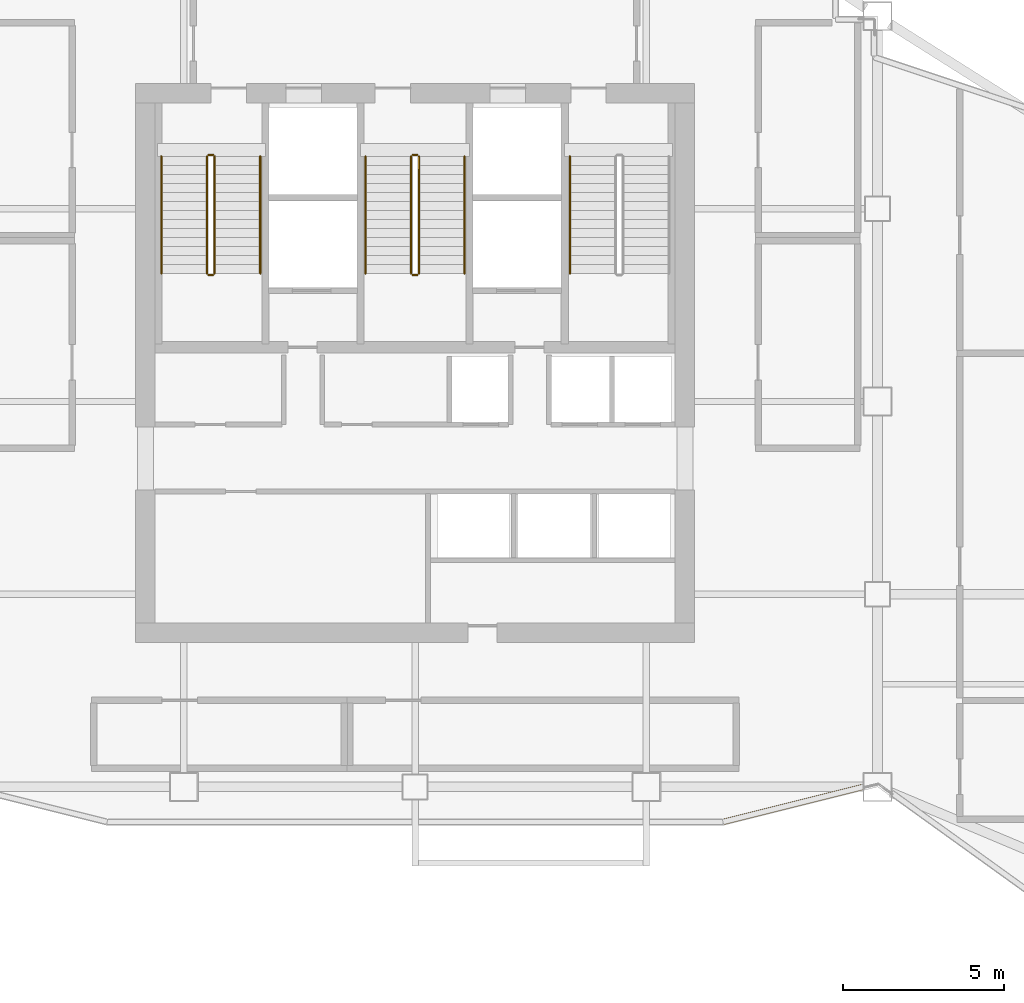
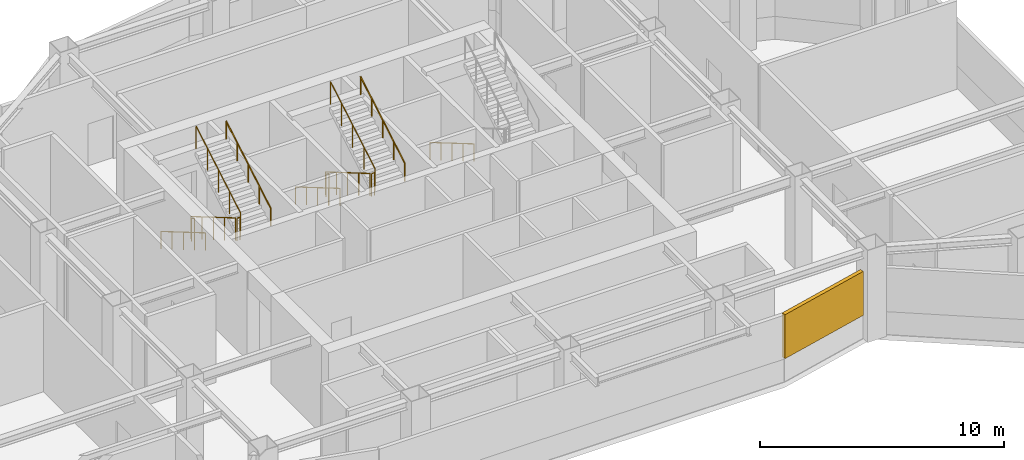
# One storey, part 7 of 9: 13 railings, 1 shading device.
"""IFC4 building model written with IfcOpenShell, lengths in metres."""

import ifcopenshell
import ifcopenshell.guid

model = None  # the IFC model being written
_history = None  # IfcOwnerHistory: only IFC2X3 demands one
_inside = {}  # id of a spatial element -> (the spatial element, [elements in it])
_under = {}  # id of a project, library or spatial element -> (it, [spatial elements below it])
_declared = {}  # id of a project -> (the project, [libraries it declares])
_typed = {}  # id of a type object -> (the type object, [elements of that type])
_made_of = {}  # id of a material, layer set ... -> (it, [elements and type objects made of it])


def new_model(schema):
    """Start an empty IFC model of exactly this schema.

    Asked for "IFC4X3", IfcOpenShell would pick the latest addendum, in which some entities
    have other attributes; the version numbers below select the first issue.
    IFC2X3 requires an IfcOwnerHistory on every rooted entity: one is made here for all.
    """
    global model, _history
    if schema == "IFC4X3":
        model = ifcopenshell.file(schema_version=(4, 3, 0, 0))
    else:
        model = ifcopenshell.file(schema=schema)
    _inside.clear()
    _under.clear()
    _declared.clear()
    _typed.clear()
    _made_of.clear()
    _history = None
    if model.schema == "IFC2X3":
        org = make("IfcOrganization", Name="unknown")
        user = make(
            "IfcPersonAndOrganization",
            ThePerson=make("IfcPerson", FamilyName="unknown"),
            TheOrganization=org,
        )
        app = make(
            "IfcApplication",
            ApplicationDeveloper=org,
            Version="unknown",
            ApplicationFullName="unknown",
            ApplicationIdentifier="unknown",
        )
        _history = make(
            "IfcOwnerHistory",
            OwningUser=user,
            OwningApplication=app,
            ChangeAction="ADDED",
            CreationDate=0,
        )
    return model


def make(cls, **values):
    """One entity of the class cls with the attributes given. An attribute that is None is left unset."""
    return model.create_entity(
        cls, **{name: value for name, value in values.items() if value is not None}
    )


def rooted(cls, **values):
    """An entity with a GlobalId (a new one), such as an element, a storey or a relation."""
    return make(cls, GlobalId=ifcopenshell.guid.new(), OwnerHistory=_history, **values)


def si_unit(unit_type, name, prefix=None):
    """IfcSIUnit, for example si_unit("LENGTHUNIT", "METRE", prefix="MILLI")."""
    return make("IfcSIUnit", UnitType=unit_type, Prefix=prefix, Name=name)


def assignment(units):
    """IfcUnitAssignment: the units of a project."""
    return None if units is None else make("IfcUnitAssignment", Units=units)


def point(xyz):
    """IfcCartesianPoint."""
    return None if xyz is None else make("IfcCartesianPoint", Coordinates=xyz)


def direction(xyz):
    """IfcDirection."""
    return None if xyz is None else make("IfcDirection", DirectionRatios=xyz)


def frame(location, z_axis=None, x_axis=None):
    """IfcAxis2Placement3D, a coordinate frame: its origin and axes. An axis left out is left unset."""
    return make(
        "IfcAxis2Placement3D",
        Location=point(location),
        Axis=direction(z_axis),
        RefDirection=direction(x_axis),
    )


def frame_2d(location, x_axis=None):
    """IfcAxis2Placement2D, a coordinate frame in the plane: its origin and x axis."""
    return make(
        "IfcAxis2Placement2D", Location=point(location), RefDirection=direction(x_axis)
    )


def origin():
    """The frame at (0, 0, 0) with its axes left unset."""
    return frame((0.0, 0.0, 0.0))


def origin_2d():
    """The frame at (0, 0) in the plane with its x axis left unset."""
    return frame_2d((0.0, 0.0))


def place(relative_to, where):
    """IfcLocalPlacement: puts the frame where relative to a parent placement (None: the world)."""
    return make(
        "IfcLocalPlacement", PlacementRelTo=relative_to, RelativePlacement=where
    )


def context(
    kind, dimensions, precision=None, world=None, true_north=None, identifier=None
):
    """IfcGeometricRepresentationContext, for example the 3D "Model" context."""
    return make(
        "IfcGeometricRepresentationContext",
        ContextIdentifier=identifier,
        ContextType=kind,
        CoordinateSpaceDimension=dimensions,
        Precision=precision,
        WorldCoordinateSystem=world,
        TrueNorth=true_north,
    )


def subcontext(parent, identifier, kind, view, scale=None):
    """IfcGeometricRepresentationSubContext, for example "Body" below "Model"."""
    return make(
        "IfcGeometricRepresentationSubContext",
        ContextIdentifier=identifier,
        ContextType=kind,
        ParentContext=parent,
        TargetScale=scale,
        TargetView=view,
    )


def project(units=None, contexts=None):
    """IfcProject with its units and contexts."""
    return rooted(
        "IfcProject",
        Name="project",
        RepresentationContexts=contexts,
        UnitsInContext=assignment(units),
    )


def spatial(cls, under=None, at=None, **own):
    """A site, building, storey or space (cls), placed at a placement, below another one or the project."""
    s = rooted(cls, ObjectPlacement=at, **own)
    if under is not None:
        _under.setdefault(under.id(), (under, []))[1].append(s)
    return s


def profile(cls, at=None, kind="AREA", **sizes):
    """A parametric profile (cls). Its sizes go by their IFC names, for example OverallWidth=200.0."""
    return make(cls, ProfileType=kind, Position=at, **sizes)


def rectangle(**sizes):
    """IfcRectangleProfileDef."""
    return profile("IfcRectangleProfileDef", **sizes)


def circle(**sizes):
    """IfcCircleProfileDef."""
    return profile("IfcCircleProfileDef", **sizes)


def extrude(swept, where, along, depth):
    """IfcExtrudedAreaSolid: the profile swept, set in the frame where, extruded along a direction by depth."""
    return make(
        "IfcExtrudedAreaSolid",
        SweptArea=swept,
        Position=where,
        ExtrudedDirection=direction(along),
        Depth=depth,
    )


def shape(context_of_items, identifier, shape_type, items):
    """IfcShapeRepresentation: the items that make up one representation, for example the "Body"."""
    return make(
        "IfcShapeRepresentation",
        ContextOfItems=context_of_items,
        RepresentationIdentifier=identifier,
        RepresentationType=shape_type,
        Items=items,
    )


def material(Name=None, Category=None):
    """IfcMaterial."""
    return make("IfcMaterial", Name=Name, Category=Category)


def made_of(thing, what):
    """Note that an element or type object is made of a material, layer set ...; save() writes the relation."""
    if what is not None:
        _made_of.setdefault(what.id(), (what, []))[1].append(thing)
    return thing


def type_object(cls, material=None, **own):
    """A type object (cls), such as IfcWallType, which elements share."""
    return made_of(rooted(cls, **own), material)


def element(
    cls,
    number,
    at=None,
    inside=None,
    cuts=None,
    type_object=None,
    material=None,
    context=None,
    identifier="Body",
    shape_type=None,
    held_by="IfcProductDefinitionShape",
    body=None,
    shapes=None,
    **own,
):
    """One element of the class cls, such as IfcWall. Its Tag is "e" and its number.

    at: its placement. inside: the storey or other place that contains it. cuts: it is an
    opening in that element (IfcRelVoidsElement). A single representation is given by context,
    identifier, shape_type and body (its items); several are given by shapes. held_by: the class
    of the entity that holds the representations. save() writes the other relations.
    """
    e = rooted(cls, Tag="e%d" % number, ObjectPlacement=at, **own)
    if body is not None:
        shapes = [shape(context, identifier, shape_type, body)]
    if shapes is not None:
        e.Representation = make(held_by, Representations=shapes)
    if inside is not None:
        _inside.setdefault(inside.id(), (inside, []))[1].append(e)
    if cuts is not None:
        rooted(
            "IfcRelVoidsElement", RelatingBuildingElement=cuts, RelatedOpeningElement=e
        )
    if type_object is not None:
        _typed.setdefault(type_object.id(), (type_object, []))[1].append(e)
    return made_of(e, material)


def aggregate(whole, parts):
    """IfcRelAggregates: a whole, such as a stair, and the parts it consists of."""
    return rooted("IfcRelAggregates", RelatingObject=whole, RelatedObjects=parts)


def save(model, path):
    """Write the relations noted so far, then the file.

    IfcRelAggregates (storeys below a building ...), IfcRelContainedInSpatialStructure (elements
    in a storey), IfcRelDefinesByType, IfcRelAssociatesMaterial and IfcRelDeclares: one each for
    every whole, place, type object, material and project.
    """
    for whole, parts in _under.values():
        aggregate(whole, parts)
    for where, things in _inside.values():
        rooted(
            "IfcRelContainedInSpatialStructure",
            RelatedElements=things,
            RelatingStructure=where,
        )
    for kind, things in _typed.values():
        rooted("IfcRelDefinesByType", RelatedObjects=things, RelatingType=kind)
    for what, things in _made_of.values():
        rooted("IfcRelAssociatesMaterial", RelatedObjects=things, RelatingMaterial=what)
    for by, libraries in _declared.values():
        rooted("IfcRelDeclares", RelatingContext=by, RelatedDefinitions=libraries)
    model.write(path)


model = new_model("IFC4")

# Units and contexts
model_context = context("Model", 3, precision=1e-05, world=origin(), true_north=direction((0.0, 1.0)))
body_context = subcontext(model_context, "Body", "Model", "MODEL_VIEW")
ifc_project = project(units=[si_unit("LENGTHUNIT", "METRE"), si_unit("AREAUNIT", "SQUARE_METRE"), si_unit("VOLUMEUNIT", "CUBIC_METRE"), si_unit("PLANEANGLEUNIT", "RADIAN"), si_unit("MASSUNIT", "GRAM", prefix="KILO")], contexts=[model_context])

# Site, building, storey
site_placement = place(None, origin())
site = spatial("IfcSite", under=ifc_project, at=site_placement, CompositionType="ELEMENT")
building_placement = place(site_placement, origin())
building = spatial("IfcBuilding", under=site, at=building_placement, Name="Haolan Belvedere Tower", CompositionType="ELEMENT")
storey_placement = place(building_placement, frame((0.0, 0.0, 207.0)))
storey = spatial("IfcBuildingStorey", under=building, at=storey_placement, Name="L52", CompositionType="ELEMENT", Elevation=207.0)

# Railings
ifc_material_1 = material(Name="Brushed stainless steel 304", Category="steel")
railing_type_1 = type_object("IfcRailingType", Name="RL-STAIR-GRD-1150", PredefinedType="GUARDRAIL", material=ifc_material_1)
railing_1_placement = place(storey_placement, frame((31.919921875, 41.22998046875, 0.164306640625)))
element("IfcRailing", 1, at=railing_1_placement, inside=storey, type_object=railing_type_1, Name="L52 ST1 stair guard 1", PredefinedType="GUARDRAIL", context=body_context, shape_type="SweptSolid", body=[
    extrude(circle(Radius=0.02392578125, at=origin_2d()), frame((0.0, 0.0, 1.1259765625), z_axis=(0.0, -0.862489892076, 0.506074289079), x_axis=(1.0, 0.0, 0.0)), (0.0, 0.0, 1.0), 4.22021484375),
    extrude(circle(Radius=0.02099609375, at=origin_2d()), origin(), (0.0, 0.0, 1.0), 1.101806640625),
    extrude(circle(Radius=0.02099609375, at=origin_2d()), frame((0.0, -0.909912109375, 0.533935546875)), (0.0, 0.0, 1.0), 1.101806640625),
    extrude(circle(Radius=0.02099609375, at=origin_2d()), frame((0.0, -1.81982421875, 1.06787109375)), (0.0, 0.0, 1.0), 1.101806640625),
    extrude(circle(Radius=0.02099609375, at=origin_2d()), frame((0.0, -2.72998046875, 1.601806640625)), (0.0, 0.0, 1.0), 1.101806640625),
    extrude(circle(Radius=0.02099609375, at=origin_2d()), frame((0.0, -3.639892578125, 2.1357421875)), (0.0, 0.0, 1.0), 1.101806640625),
])
railing_2_placement = place(storey_placement, frame((31.969970703125, 37.5400390625, 2.300048828125)))
element("IfcRailing", 2, at=railing_2_placement, inside=storey, type_object=railing_type_1, Name="L52 ST1 stair guard 2", PredefinedType="GUARDRAIL", context=body_context, shape_type="SweptSolid", body=[
    extrude(circle(Radius=0.02392578125, at=origin_2d()), frame((0.0, 0.0, 1.1259765625), z_axis=(1.0, 0.0, 0.0), x_axis=(0.0, 1.0, 0.0)), (0.0, 0.0, 1.0), 0.14013671875),
    extrude(circle(Radius=0.02099609375, at=origin_2d()), origin(), (0.0, 0.0, 1.0), 1.101806640625),
    extrude(circle(Radius=0.02099609375, at=origin_2d()), frame((0.14013671875, 0.0, 0.0)), (0.0, 0.0, 1.0), 1.101806640625),
])
railing_3_placement = place(storey_placement, frame((32.159912109375, 37.590087890625, 2.46435546875)))
element("IfcRailing", 3, at=railing_3_placement, inside=storey, type_object=railing_type_1, Name="L52 ST1 stair guard 3", PredefinedType="GUARDRAIL", context=body_context, shape_type="SweptSolid", body=[
    extrude(circle(Radius=0.02392578125, at=origin_2d()), frame((0.0, 0.0, 1.1259765625), z_axis=(0.0, 0.862489892076, 0.506074289079), x_axis=(-1.0, 0.0, 0.0)), (0.0, 0.0, 1.0), 4.22021484375),
    extrude(circle(Radius=0.02099609375, at=origin_2d()), origin(), (0.0, 0.0, 1.0), 1.101806640625),
    extrude(circle(Radius=0.02099609375, at=origin_2d()), frame((0.0, 0.909912109375, 0.533935546875)), (0.0, 0.0, 1.0), 1.101806640625),
    extrude(circle(Radius=0.02099609375, at=origin_2d()), frame((0.0, 1.81982421875, 1.06787109375)), (0.0, 0.0, 1.0), 1.101806640625),
    extrude(circle(Radius=0.02099609375, at=origin_2d()), frame((0.0, 2.72998046875, 1.601806640625)), (0.0, 0.0, 1.0), 1.101806640625),
    extrude(circle(Radius=0.02099609375, at=origin_2d()), frame((0.0, 3.639892578125, 2.1357421875)), (0.0, 0.0, 1.0), 1.101806640625),
])
railing_4_placement = place(storey_placement, frame((31.969970703125, 41.280029296875, 0.0)))
element("IfcRailing", 4, at=railing_4_placement, inside=storey, type_object=railing_type_1, Name="L52 ST1 stair guard 4", PredefinedType="GUARDRAIL", context=body_context, shape_type="SweptSolid", body=[
    extrude(circle(Radius=0.02392578125, at=origin_2d()), frame((0.0, 0.0, 1.1259765625), z_axis=(1.0, 0.0, 0.0), x_axis=(0.0, 1.0, 0.0)), (0.0, 0.0, 1.0), 0.14013671875),
    extrude(circle(Radius=0.02099609375, at=origin_2d()), origin(), (0.0, 0.0, 1.0), 1.101806640625),
    extrude(circle(Radius=0.02099609375, at=origin_2d()), frame((0.14013671875, 0.0, 0.0)), (0.0, 0.0, 1.0), 1.101806640625),
])
railing_5_placement = place(storey_placement, frame((38.280029296875, 41.22998046875, 0.164306640625)))
element("IfcRailing", 5, at=railing_5_placement, inside=storey, type_object=railing_type_1, Name="L52 ST3 stair guard 1", PredefinedType="GUARDRAIL", context=body_context, shape_type="SweptSolid", body=[
    extrude(circle(Radius=0.02392578125, at=origin_2d()), frame((0.0, 0.0, 1.1259765625), z_axis=(0.0, -0.862489892076, 0.506074289079), x_axis=(1.0, 0.0, 0.0)), (0.0, 0.0, 1.0), 4.22021484375),
    extrude(circle(Radius=0.02099609375, at=origin_2d()), origin(), (0.0, 0.0, 1.0), 1.101806640625),
    extrude(circle(Radius=0.02099609375, at=origin_2d()), frame((0.0, -0.909912109375, 0.533935546875)), (0.0, 0.0, 1.0), 1.101806640625),
    extrude(circle(Radius=0.02099609375, at=origin_2d()), frame((0.0, -1.81982421875, 1.06787109375)), (0.0, 0.0, 1.0), 1.101806640625),
    extrude(circle(Radius=0.02099609375, at=origin_2d()), frame((0.0, -2.72998046875, 1.601806640625)), (0.0, 0.0, 1.0), 1.101806640625),
    extrude(circle(Radius=0.02099609375, at=origin_2d()), frame((0.0, -3.639892578125, 2.1357421875)), (0.0, 0.0, 1.0), 1.101806640625),
])
railing_6_placement = place(storey_placement, frame((38.330078125, 37.5400390625, 2.300048828125)))
element("IfcRailing", 6, at=railing_6_placement, inside=storey, type_object=railing_type_1, Name="L52 ST3 stair guard 2", PredefinedType="GUARDRAIL", context=body_context, shape_type="SweptSolid", body=[
    extrude(circle(Radius=0.02392578125, at=origin_2d()), frame((0.0, 0.0, 1.1259765625), z_axis=(1.0, 0.0, 0.0), x_axis=(0.0, 1.0, 0.0)), (0.0, 0.0, 1.0), 0.139892578125),
    extrude(circle(Radius=0.02099609375, at=origin_2d()), origin(), (0.0, 0.0, 1.0), 1.101806640625),
    extrude(circle(Radius=0.02099609375, at=origin_2d()), frame((0.139892578125, 0.0, 0.0)), (0.0, 0.0, 1.0), 1.101806640625),
])
railing_7_placement = place(storey_placement, frame((38.52001953125, 37.590087890625, 2.46435546875)))
element("IfcRailing", 7, at=railing_7_placement, inside=storey, type_object=railing_type_1, Name="L52 ST3 stair guard 3", PredefinedType="GUARDRAIL", context=body_context, shape_type="SweptSolid", body=[
    extrude(circle(Radius=0.02392578125, at=origin_2d()), frame((0.0, 0.0, 1.1259765625), z_axis=(0.0, 0.862489892076, 0.506074289079), x_axis=(-1.0, 0.0, 0.0)), (0.0, 0.0, 1.0), 4.22021484375),
    extrude(circle(Radius=0.02099609375, at=origin_2d()), origin(), (0.0, 0.0, 1.0), 1.101806640625),
    extrude(circle(Radius=0.02099609375, at=origin_2d()), frame((0.0, 0.909912109375, 0.533935546875)), (0.0, 0.0, 1.0), 1.101806640625),
    extrude(circle(Radius=0.02099609375, at=origin_2d()), frame((0.0, 1.81982421875, 1.06787109375)), (0.0, 0.0, 1.0), 1.101806640625),
    extrude(circle(Radius=0.02099609375, at=origin_2d()), frame((0.0, 2.72998046875, 1.601806640625)), (0.0, 0.0, 1.0), 1.101806640625),
    extrude(circle(Radius=0.02099609375, at=origin_2d()), frame((0.0, 3.639892578125, 2.1357421875)), (0.0, 0.0, 1.0), 1.101806640625),
])
railing_8_placement = place(storey_placement, frame((38.330078125, 41.280029296875, 0.0)))
element("IfcRailing", 8, at=railing_8_placement, inside=storey, type_object=railing_type_1, Name="L52 ST3 stair guard 4", PredefinedType="GUARDRAIL", context=body_context, shape_type="SweptSolid", body=[
    extrude(circle(Radius=0.02392578125, at=origin_2d()), frame((0.0, 0.0, 1.1259765625), z_axis=(1.0, 0.0, 0.0), x_axis=(0.0, 1.0, 0.0)), (0.0, 0.0, 1.0), 0.139892578125),
    extrude(circle(Radius=0.02099609375, at=origin_2d()), origin(), (0.0, 0.0, 1.0), 1.101806640625),
    extrude(circle(Radius=0.02099609375, at=origin_2d()), frame((0.139892578125, 0.0, 0.0)), (0.0, 0.0, 1.0), 1.101806640625),
])
railing_type_2 = type_object("IfcRailingType", Name="RL-STAIR-HND-900", PredefinedType="HANDRAIL", material=ifc_material_1)
railing_9_placement = place(storey_placement, frame((30.5, 41.22998046875, 0.164306640625)))
element("IfcRailing", 9, at=railing_9_placement, inside=storey, type_object=railing_type_2, Name="L52 ST1 stair handrail 1", PredefinedType="HANDRAIL", context=body_context, shape_type="SweptSolid", body=[
    extrude(circle(Radius=0.02392578125, at=origin_2d()), frame((0.0, 0.0, 0.8759765625), z_axis=(0.0, -0.862489892076, 0.506074289079), x_axis=(1.0, 0.0, 0.0)), (0.0, 0.0, 1.0), 4.22021484375),
    extrude(circle(Radius=0.02099609375, at=origin_2d()), origin(), (0.0, 0.0, 1.0), 0.851806640625),
    extrude(circle(Radius=0.02099609375, at=origin_2d()), frame((0.0, -0.909912109375, 0.533935546875)), (0.0, 0.0, 1.0), 0.851806640625),
    extrude(circle(Radius=0.02099609375, at=origin_2d()), frame((0.0, -1.81982421875, 1.06787109375)), (0.0, 0.0, 1.0), 0.851806640625),
    extrude(circle(Radius=0.02099609375, at=origin_2d()), frame((0.0, -2.72998046875, 1.601806640625)), (0.0, 0.0, 1.0), 0.851806640625),
    extrude(circle(Radius=0.02099609375, at=origin_2d()), frame((0.0, -3.639892578125, 2.1357421875)), (0.0, 0.0, 1.0), 0.851806640625),
])
railing_10_placement = place(storey_placement, frame((33.580078125, 37.590087890625, 2.46435546875)))
element("IfcRailing", 10, at=railing_10_placement, inside=storey, type_object=railing_type_2, Name="L52 ST1 stair handrail 2", PredefinedType="HANDRAIL", context=body_context, shape_type="SweptSolid", body=[
    extrude(circle(Radius=0.02392578125, at=origin_2d()), frame((0.0, 0.0, 0.8759765625), z_axis=(0.0, 0.862489892076, 0.506074289079), x_axis=(-1.0, 0.0, 0.0)), (0.0, 0.0, 1.0), 4.22021484375),
    extrude(circle(Radius=0.02099609375, at=origin_2d()), origin(), (0.0, 0.0, 1.0), 0.851806640625),
    extrude(circle(Radius=0.02099609375, at=origin_2d()), frame((0.0, 0.909912109375, 0.533935546875)), (0.0, 0.0, 1.0), 0.851806640625),
    extrude(circle(Radius=0.02099609375, at=origin_2d()), frame((0.0, 1.81982421875, 1.06787109375)), (0.0, 0.0, 1.0), 0.851806640625),
    extrude(circle(Radius=0.02099609375, at=origin_2d()), frame((0.0, 2.72998046875, 1.601806640625)), (0.0, 0.0, 1.0), 0.851806640625),
    extrude(circle(Radius=0.02099609375, at=origin_2d()), frame((0.0, 3.639892578125, 2.1357421875)), (0.0, 0.0, 1.0), 0.851806640625),
])
railing_11_placement = place(storey_placement, frame((36.860107421875, 41.22998046875, 0.164306640625)))
element("IfcRailing", 11, at=railing_11_placement, inside=storey, type_object=railing_type_2, Name="L52 ST3 stair handrail 1", PredefinedType="HANDRAIL", context=body_context, shape_type="SweptSolid", body=[
    extrude(circle(Radius=0.02392578125, at=origin_2d()), frame((0.0, 0.0, 0.8759765625), z_axis=(0.0, -0.862489892076, 0.506074289079), x_axis=(1.0, 0.0, 0.0)), (0.0, 0.0, 1.0), 4.22021484375),
    extrude(circle(Radius=0.02099609375, at=origin_2d()), origin(), (0.0, 0.0, 1.0), 0.851806640625),
    extrude(circle(Radius=0.02099609375, at=origin_2d()), frame((0.0, -0.909912109375, 0.533935546875)), (0.0, 0.0, 1.0), 0.851806640625),
    extrude(circle(Radius=0.02099609375, at=origin_2d()), frame((0.0, -1.81982421875, 1.06787109375)), (0.0, 0.0, 1.0), 0.851806640625),
    extrude(circle(Radius=0.02099609375, at=origin_2d()), frame((0.0, -2.72998046875, 1.601806640625)), (0.0, 0.0, 1.0), 0.851806640625),
    extrude(circle(Radius=0.02099609375, at=origin_2d()), frame((0.0, -3.639892578125, 2.1357421875)), (0.0, 0.0, 1.0), 0.851806640625),
])
railing_12_placement = place(storey_placement, frame((39.93994140625, 37.590087890625, 2.46435546875)))
element("IfcRailing", 12, at=railing_12_placement, inside=storey, type_object=railing_type_2, Name="L52 ST3 stair handrail 2", PredefinedType="HANDRAIL", context=body_context, shape_type="SweptSolid", body=[
    extrude(circle(Radius=0.02392578125, at=origin_2d()), frame((0.0, 0.0, 0.8759765625), z_axis=(0.0, 0.862489892076, 0.506074289079), x_axis=(-1.0, 0.0, 0.0)), (0.0, 0.0, 1.0), 4.22021484375),
    extrude(circle(Radius=0.02099609375, at=origin_2d()), origin(), (0.0, 0.0, 1.0), 0.851806640625),
    extrude(circle(Radius=0.02099609375, at=origin_2d()), frame((0.0, 0.909912109375, 0.533935546875)), (0.0, 0.0, 1.0), 0.851806640625),
    extrude(circle(Radius=0.02099609375, at=origin_2d()), frame((0.0, 1.81982421875, 1.06787109375)), (0.0, 0.0, 1.0), 0.851806640625),
    extrude(circle(Radius=0.02099609375, at=origin_2d()), frame((0.0, 2.72998046875, 1.601806640625)), (0.0, 0.0, 1.0), 0.851806640625),
    extrude(circle(Radius=0.02099609375, at=origin_2d()), frame((0.0, 3.639892578125, 2.1357421875)), (0.0, 0.0, 1.0), 0.851806640625),
])
railing_13_placement = place(storey_placement, frame((43.219970703125, 41.22998046875, 0.164306640625)))
element("IfcRailing", 13, at=railing_13_placement, inside=storey, type_object=railing_type_2, Name="L52 ST2 stair handrail 1", PredefinedType="HANDRAIL", context=body_context, shape_type="SweptSolid", body=[
    extrude(circle(Radius=0.02392578125, at=origin_2d()), frame((0.0, 0.0, 0.8759765625), z_axis=(0.0, -0.862489892076, 0.506074289079), x_axis=(1.0, 0.0, 0.0)), (0.0, 0.0, 1.0), 4.22021484375),
    extrude(circle(Radius=0.02099609375, at=origin_2d()), origin(), (0.0, 0.0, 1.0), 0.851806640625),
    extrude(circle(Radius=0.02099609375, at=origin_2d()), frame((0.0, -0.909912109375, 0.533935546875)), (0.0, 0.0, 1.0), 0.851806640625),
    extrude(circle(Radius=0.02099609375, at=origin_2d()), frame((0.0, -1.81982421875, 1.06787109375)), (0.0, 0.0, 1.0), 0.851806640625),
    extrude(circle(Radius=0.02099609375, at=origin_2d()), frame((0.0, -2.72998046875, 1.601806640625)), (0.0, 0.0, 1.0), 0.851806640625),
    extrude(circle(Radius=0.02099609375, at=origin_2d()), frame((0.0, -3.639892578125, 2.1357421875)), (0.0, 0.0, 1.0), 0.851806640625),
])

# Shading device
ifc_material_2 = material(Name="Anodised champagne-silver aluminium 6063-T6", Category="aluminium")
shading_device_type = type_object("IfcShadingDeviceType", Name="SHD-LOUV-180", PredefinedType="JALOUSIE", material=ifc_material_2)
shading_device_placement = place(storey_placement, frame((50.172119140625, 21.056396484375, 1.14990234375), z_axis=(0.0, 0.0, 1.0), x_axis=(0.970139297626, 0.242548434753, 0.0)))
element("IfcShadingDevice", 14, at=shading_device_placement, inside=storey, type_object=shading_device_type, Name="L52 refuge storm-proof louvre bank 2.1", PredefinedType="JALOUSIE", context=body_context, shape_type="SweptSolid", body=[
    extrude(rectangle(XDim=4.466064453125, YDim=0.179931640625, at=origin_2d()), origin(), (0.0, 0.0, 1.0), 2.199951171875),
])

save(model, "model.ifc")
